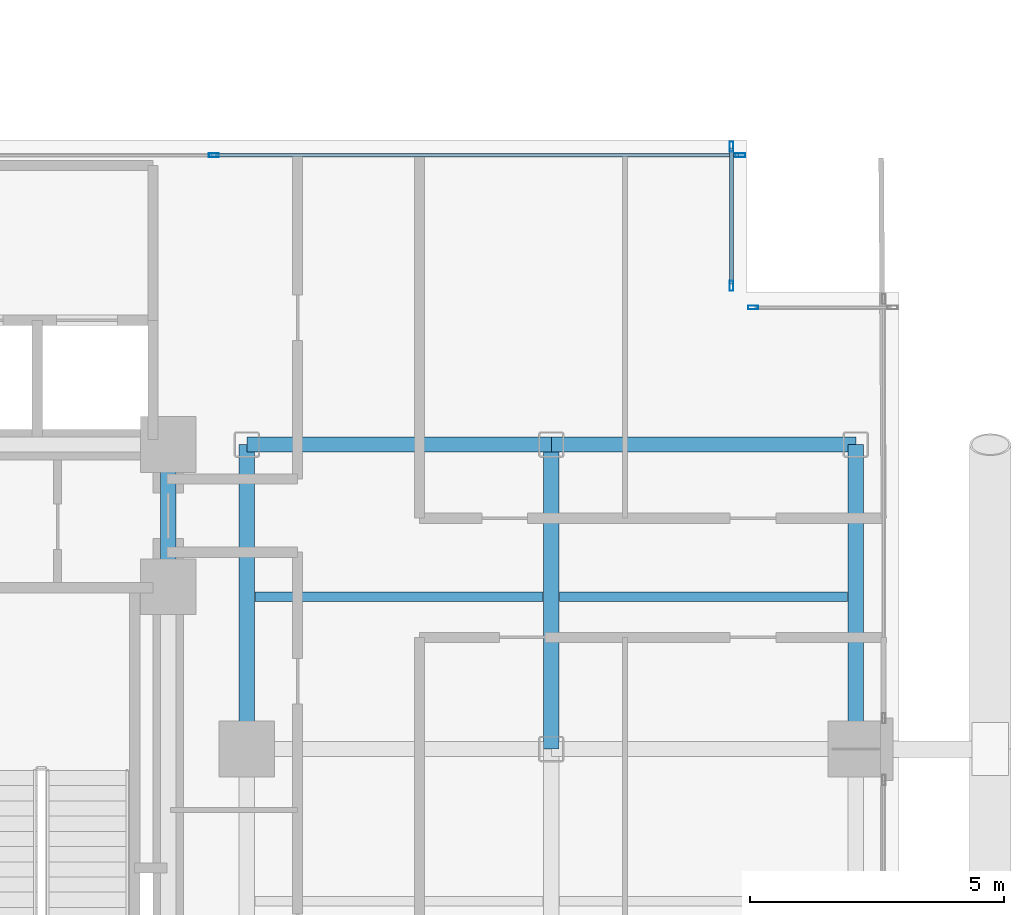
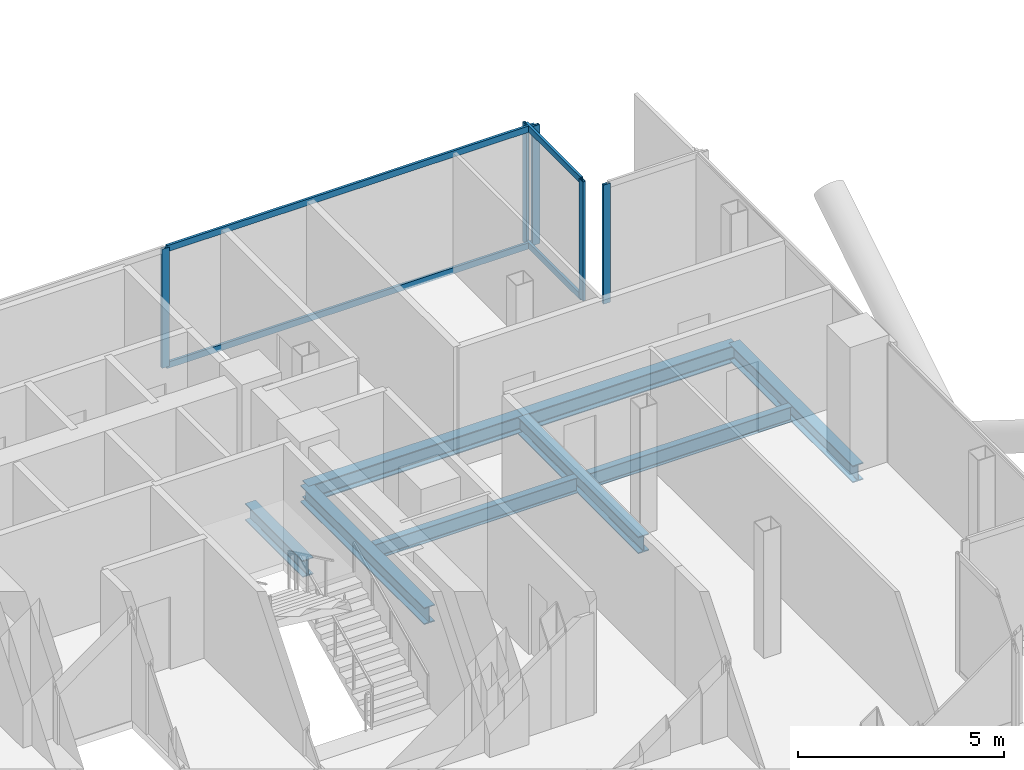
# One storey, part 13 of 28: 9 members, 8 beams, 3 elements without a shape of their own.
"""IFC4 building model written with IfcOpenShell, lengths in metres."""

from ifc_helpers import new_model, si_unit, direction, frame, origin, origin_2d, place, context, subcontext, project, spatial, hollow_rectangle, i_section, extrude, material, layer, layer_set, material_profile, profile_set, type_object, element, aggregate, save


model = new_model("IFC4")

# Units and contexts
model_context = context("Model", 3, precision=1e-05, world=origin(), true_north=direction((0.0, 1.0)))
body_context = subcontext(model_context, "Body", "Model", "MODEL_VIEW")
ifc_project = project(units=[si_unit("LENGTHUNIT", "METRE"), si_unit("AREAUNIT", "SQUARE_METRE"), si_unit("VOLUMEUNIT", "CUBIC_METRE"), si_unit("PLANEANGLEUNIT", "RADIAN"), si_unit("MASSUNIT", "GRAM", prefix="KILO"), si_unit("THERMODYNAMICTEMPERATUREUNIT", "KELVIN"), si_unit("POWERUNIT", "WATT")], contexts=[model_context])

# Site, building, storey
site_placement = place(None, origin())
site = spatial("IfcSite", under=ifc_project, at=site_placement, CompositionType="ELEMENT")
building_placement = place(site_placement, origin())
building = spatial("IfcBuilding", under=site, at=building_placement, Name="Svarakhadi Broadcast Tower", CompositionType="ELEMENT")
storey_placement = place(building_placement, frame((0.0, 0.0, 138.14990234375)))
storey = spatial("IfcBuildingStorey", under=building, at=storey_placement, Name="L33", CompositionType="ELEMENT", Elevation=138.14990234375)

# Beams
ifc_material_1 = material(Name="Steel S355J2 (IS 2062 E350C)", Category="steel")
ifc_material_profile_1 = material_profile(ifc_material_1, i_section(OverallWidth=0.18994140625, OverallDepth=0.449951171875, WebThickness=0.009521484375, FlangeThickness=0.0146484375, FilletRadius=0.02099609375, at=origin_2d()), Name="NPB 450x190x78")
ifc_profile_set_1 = profile_set([ifc_material_profile_1], Name="Steel S355J2 (IS 2062 E350C)")
beam_type_1 = type_object("IfcBeamType", Name="Beam_NPB450", PredefinedType="BEAM", material=ifc_profile_set_1)
for number, where, z_axis, x_axis, name in (
    (1, (35.31005859375, 15.0, -0.449951171875), (1.0, 0.0, 0.0), (0.0, 1.0, 0.0), "L33 Secondary Composite Beam SB021"),
    (2, (41.31005859375, 15.0, -0.449951171875), (1.0, 0.0, 0.0), (0.0, 1.0, 0.0), "L33 Secondary Composite Beam SB023"),
):
    element("IfcBeam", number, at=place(storey_placement, frame(where, z_axis=z_axis, x_axis=x_axis)), inside=storey, type_object=beam_type_1, Name=name, PredefinedType="BEAM", context=body_context, shape_type="SweptSolid", body=[
        extrude(i_section(OverallWidth=0.18994140625, OverallDepth=0.449951171875, WebThickness=0.009521484375, FlangeThickness=0.0146484375, FilletRadius=0.02099609375, at=origin_2d()), origin(), (0.0, 0.0, 1.0), 5.679931640625),
    ])

# Curtain wall, members
ifc_material_2 = material(Name="Anodised Bronze Aluminium AA 6063-T6", Category="aluminium")
ifc_layer = layer(ifc_material_2, 0.199951171875)
ifc_layer_set = layer_set([ifc_layer], Name="Anodised Bronze Aluminium AA 6063-T6")
curtain_wall_type = type_object("IfcCurtainWallType", Name="CW_Sys_03", PredefinedType="NOTDEFINED", material=ifc_layer_set)
curtain_wall_1_placement = place(storey_placement, origin())
curtain_wall_1 = element("IfcCurtainWall", 3, at=curtain_wall_1_placement, inside=storey, type_object=curtain_wall_type, Name="L33 Unitised Facade Curtain Wall 10", PredefinedType="NOTDEFINED")
ifc_material_profile_2 = material_profile(ifc_material_2, hollow_rectangle(XDim=0.074951171875, YDim=0.199951171875, WallThickness=0.005615234375, at=origin_2d()), Name="ALU MULLION 200x75x6")
ifc_profile_set_2 = profile_set([ifc_material_profile_2], Name="Anodised Bronze Aluminium AA 6063-T6")
member_type_1 = type_object("IfcMemberType", Name="CW_Sys_03_Mul", PredefinedType="MULLION", material=ifc_profile_set_2)
member_1_placement = place(storey_placement, frame((34.5, 23.699951171875, 0.0), z_axis=(0.0, 0.0, 1.0), x_axis=(0.0, 1.0, 0.0)))
member_1 = element("IfcMember", 4, at=member_1_placement, type_object=member_type_1, Name="CW-03 mullion 2", PredefinedType="MULLION", context=body_context, shape_type="SweptSolid", body=[
    extrude(hollow_rectangle(XDim=0.074951171875, YDim=0.199951171875, WallThickness=0.005615234375, at=origin_2d()), origin(), (0.0, 0.0, 1.0), 3.525146484375),
])
member_2_placement = place(storey_placement, frame((44.87255859375, 23.699951171875, 0.0), z_axis=(0.0, 0.0, 1.0), x_axis=(0.0, 1.0, 0.0)))
member_2 = element("IfcMember", 5, at=member_2_placement, type_object=member_type_1, Name="CW-03 mullion 3", PredefinedType="MULLION", context=body_context, shape_type="SweptSolid", body=[
    extrude(hollow_rectangle(XDim=0.074951171875, YDim=0.199951171875, WallThickness=0.005615234375, at=origin_2d()), origin(), (0.0, 0.0, 1.0), 3.525146484375),
])

curtain_wall_2_placement = place(storey_placement, origin())
curtain_wall_2 = element("IfcCurtainWall", 6, at=curtain_wall_2_placement, inside=storey, type_object=curtain_wall_type, Name="L33 Unitised Facade Curtain Wall 11", PredefinedType="NOTDEFINED")
member_3_placement = place(storey_placement, frame((44.699951171875, 23.87255859375, 0.0), z_axis=(0.0, 0.0, 1.0), x_axis=(1.0, 0.0, 0.0)))
member_3 = element("IfcMember", 7, at=member_3_placement, type_object=member_type_1, Name="CW-03 mullion 1", PredefinedType="MULLION", context=body_context, shape_type="SweptSolid", body=[
    extrude(hollow_rectangle(XDim=0.074951171875, YDim=0.199951171875, WallThickness=0.005615234375, at=origin_2d()), origin(), (0.0, 0.0, 1.0), 3.525146484375),
])
member_4_placement = place(storey_placement, frame((44.699951171875, 21.12744140625, 0.0), z_axis=(0.0, 0.0, 1.0), x_axis=(1.0, 0.0, 0.0)))
member_4 = element("IfcMember", 8, at=member_4_placement, type_object=member_type_1, Name="CW-03 mullion 2", PredefinedType="MULLION", context=body_context, shape_type="SweptSolid", body=[
    extrude(hollow_rectangle(XDim=0.074951171875, YDim=0.199951171875, WallThickness=0.005615234375, at=origin_2d()), origin(), (0.0, 0.0, 1.0), 3.525146484375),
])

# Curtain wall, member
curtain_wall_3_placement = place(storey_placement, origin())
curtain_wall_3 = element("IfcCurtainWall", 9, at=curtain_wall_3_placement, inside=storey, type_object=curtain_wall_type, Name="L33 Unitised Facade Curtain Wall 12", PredefinedType="NOTDEFINED")
member_5_placement = place(storey_placement, frame((45.12744140625, 20.699951171875, 0.0), z_axis=(0.0, 0.0, 1.0), x_axis=(0.0, 1.0, 0.0)))
member_5 = element("IfcMember", 10, at=member_5_placement, type_object=member_type_1, Name="CW-03 mullion 1", PredefinedType="MULLION", context=body_context, shape_type="SweptSolid", body=[
    extrude(hollow_rectangle(XDim=0.074951171875, YDim=0.199951171875, WallThickness=0.005615234375, at=origin_2d()), origin(), (0.0, 0.0, 1.0), 3.525146484375),
])
aggregate(curtain_wall_3, [member_5])

# Member
ifc_material_profile_3 = material_profile(ifc_material_2, hollow_rectangle(XDim=0.070068359375, YDim=0.18505859375, WallThickness=0.0048828125, at=origin_2d()), Name="ALU TRANSOM 185x70x5")
ifc_profile_set_3 = profile_set([ifc_material_profile_3], Name="Anodised Bronze Aluminium AA 6063-T6")
member_type_2 = type_object("IfcMemberType", Name="CW_Sys_03_Trn", PredefinedType="USERDEFINED", material=ifc_profile_set_3)
member_6_placement = place(storey_placement, frame((34.53759765625, 23.699951171875, 0.03515625), z_axis=(1.0, 0.0, 0.0), x_axis=(0.0, 1.0, 0.0)))
member_6 = element("IfcMember", 11, at=member_6_placement, type_object=member_type_2, Name="CW-03 transom 2.1", ObjectType="TRANSOM", PredefinedType="USERDEFINED", context=body_context, shape_type="SweptSolid", body=[
    extrude(hollow_rectangle(XDim=0.070068359375, YDim=0.18505859375, WallThickness=0.0048828125, at=origin_2d()), origin(), (0.0, 0.0, 1.0), 10.29736328125),
])

member_7_placement = place(storey_placement, frame((34.53759765625, 23.699951171875, 3.489990234375), z_axis=(1.0, 0.0, 0.0), x_axis=(0.0, 1.0, 0.0)))
member_7 = element("IfcMember", 12, at=member_7_placement, type_object=member_type_2, Name="CW-03 transom 2.2", ObjectType="TRANSOM", PredefinedType="USERDEFINED", context=body_context, shape_type="SweptSolid", body=[
    extrude(hollow_rectangle(XDim=0.070068359375, YDim=0.18505859375, WallThickness=0.0048828125, at=origin_2d()), origin(), (0.0, 0.0, 1.0), 10.29736328125),
])

aggregate(curtain_wall_1, [member_1, member_2, member_6, member_7])

member_8_placement = place(storey_placement, frame((44.699951171875, 23.8349609375, 0.03515625), z_axis=(0.0, -1.0, 0.0), x_axis=(1.0, 0.0, 0.0)))
member_8 = element("IfcMember", 13, at=member_8_placement, type_object=member_type_2, Name="CW-03 transom 1.1", ObjectType="TRANSOM", PredefinedType="USERDEFINED", context=body_context, shape_type="SweptSolid", body=[
    extrude(hollow_rectangle(XDim=0.070068359375, YDim=0.18505859375, WallThickness=0.0048828125, at=origin_2d()), origin(), (0.0, 0.0, 1.0), 2.669921875),
])

member_9_placement = place(storey_placement, frame((44.699951171875, 23.8349609375, 3.489990234375), z_axis=(0.0, -1.0, 0.0), x_axis=(1.0, 0.0, 0.0)))
member_9 = element("IfcMember", 14, at=member_9_placement, type_object=member_type_2, Name="CW-03 transom 1.2", ObjectType="TRANSOM", PredefinedType="USERDEFINED", context=body_context, shape_type="SweptSolid", body=[
    extrude(hollow_rectangle(XDim=0.070068359375, YDim=0.18505859375, WallThickness=0.0048828125, at=origin_2d()), origin(), (0.0, 0.0, 1.0), 2.669921875),
])

aggregate(curtain_wall_2, [member_3, member_4, member_8, member_9])

# Beams
ifc_material_profile_4 = material_profile(ifc_material_1, i_section(OverallWidth=0.300048828125, OverallDepth=0.5, WebThickness=0.014404296875, FlangeThickness=0.028076171875, FilletRadius=0.027099609375, at=origin_2d()), Name="WPB 500x300x187")
ifc_profile_set_4 = profile_set([ifc_material_profile_4], Name="Steel S355J2 (IS 2062 E350C)")
beam_type_2 = type_object("IfcBeamType", Name="Girder_WPB500", PredefinedType="USERDEFINED", material=ifc_profile_set_4)
for number, where, z_axis, x_axis, name in (
    (15, (35.14990234375, 18.0, -0.474853515625), (1.0, 0.0, 0.0), (0.0, 1.0, 0.0), "L33 Primary E-W Girder G028"),
    (16, (41.14990234375, 18.0, -0.474853515625), (1.0, 0.0, 0.0), (0.0, 1.0, 0.0), "L33 Primary E-W Girder G029"),
):
    element("IfcBeam", number, at=place(storey_placement, frame(where, z_axis=z_axis, x_axis=x_axis)), inside=storey, type_object=beam_type_2, Name=name, ObjectType="GIRDER", PredefinedType="USERDEFINED", context=body_context, shape_type="SweptSolid", body=[
        extrude(i_section(OverallWidth=0.300048828125, OverallDepth=0.5, WebThickness=0.014404296875, FlangeThickness=0.028076171875, FilletRadius=0.027099609375, at=origin_2d()), origin(), (0.0, 0.0, 1.0), 6.0),
    ])
beam_placement = place(storey_placement, frame((33.60009765625, 15.199951171875, -0.474853515625), z_axis=(0.0, 1.0, 0.0), x_axis=(-1.0, 0.0, 0.0)))
element("IfcBeam", 17, at=beam_placement, inside=storey, type_object=beam_type_2, Name="L33 Primary N-S Girder G066", ObjectType="GIRDER", PredefinedType="USERDEFINED", context=body_context, shape_type="SweptSolid", body=[
    extrude(i_section(OverallWidth=0.300048828125, OverallDepth=0.5, WebThickness=0.014404296875, FlangeThickness=0.028076171875, FilletRadius=0.027099609375, at=origin_2d()), origin(), (0.0, 0.0, 1.0), 2.800048828125),
])
for number, where, z_axis, x_axis, name in (
    (18, (35.14990234375, 12.0, -0.474853515625), (0.0, 1.0, 0.0), (-1.0, 0.0, 0.0), "L33 Primary N-S Girder G069"),
    (19, (41.14990234375, 12.0, -0.474853515625), (0.0, 1.0, 0.0), (-1.0, 0.0, 0.0), "L33 Primary N-S Girder G072"),
    (20, (47.14990234375, 12.0, -0.474853515625), (0.0, 1.0, 0.0), (-1.0, 0.0, 0.0), "L33 Primary N-S Girder G074"),
):
    element("IfcBeam", number, at=place(storey_placement, frame(where, z_axis=z_axis, x_axis=x_axis)), inside=storey, type_object=beam_type_2, Name=name, ObjectType="GIRDER", PredefinedType="USERDEFINED", context=body_context, shape_type="SweptSolid", body=[
        extrude(i_section(OverallWidth=0.300048828125, OverallDepth=0.5, WebThickness=0.014404296875, FlangeThickness=0.028076171875, FilletRadius=0.027099609375, at=origin_2d()), origin(), (0.0, 0.0, 1.0), 6.0),
    ])

save(model, "model.ifc")
